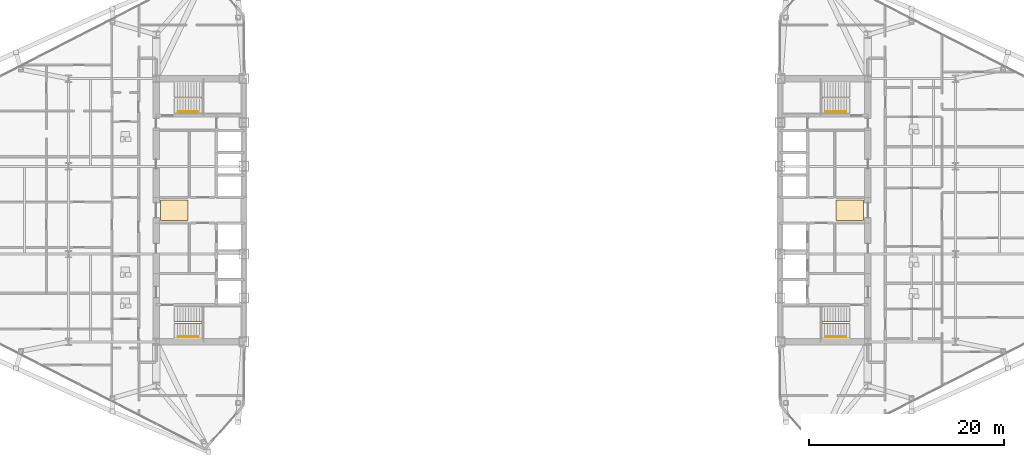
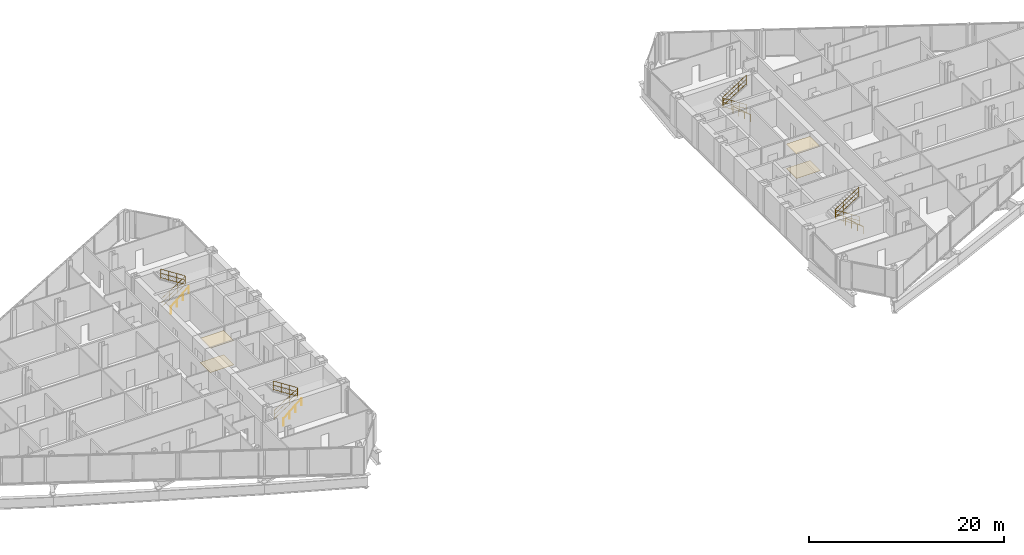
# One storey, part 27 of 28: 8 railings, 4 coverings.
"""IFC4 building model written with IfcOpenShell, lengths in metres."""

from ifc_helpers import new_model, si_unit, direction, frame, origin, origin_2d, place, context, subcontext, project, spatial, polyline, circle, outline, extrude, material, layer, layer_set, type_object, element, save


model = new_model("IFC4")

# Units and contexts
model_context = context("Model", 3, precision=1e-05, world=origin(), true_north=direction((0.0, 1.0)))
body_context = subcontext(model_context, "Body", "Model", "MODEL_VIEW")
ifc_project = project(units=[si_unit("LENGTHUNIT", "METRE"), si_unit("AREAUNIT", "SQUARE_METRE"), si_unit("VOLUMEUNIT", "CUBIC_METRE"), si_unit("PLANEANGLEUNIT", "RADIAN"), si_unit("MASSUNIT", "GRAM", prefix="KILO")], contexts=[model_context])

# Site, building, storey
site_placement = place(None, origin())
site = spatial("IfcSite", under=ifc_project, at=site_placement, CompositionType="ELEMENT")
building_placement = place(site_placement, origin())
building = spatial("IfcBuilding", under=site, at=building_placement, Name="Seokmaru Belvedere", CompositionType="ELEMENT")
storey_placement = place(building_placement, frame((0.0, 0.0, 110.39990234375)))
storey = spatial("IfcBuildingStorey", under=building, at=storey_placement, Name="L29", CompositionType="ELEMENT", Elevation=110.39990234375)

# Coverings
ifc_material_1 = material(Name="Engineered White Oak Timber", Category="wood")
ifc_layer_1 = layer(ifc_material_1, 0.02197265625)
ifc_layer_set_1 = layer_set([ifc_layer_1], Name="Engineered White Oak Timber")
covering_type_1 = type_object("IfcCoveringType", Name="Engineered Oak Residence Floor Finish 22", PredefinedType="FLOORING", material=ifc_layer_set_1)
covering_1_placement = place(storey_placement, origin())
element("IfcCovering", 1, at=covering_1_placement, inside=storey, type_object=covering_type_1, Name="L29 W Foyer Floor Finish", PredefinedType="FLOORING", context=body_context, shape_type="SweptSolid", body=[
    extrude(outline(polyline([(-36.050048828125, -1.050048828125), (-33.25, -1.050048828125), (-33.25, 1.050048828125), (-36.050048828125, 1.050048828125), (-36.050048828125, -1.050048828125)])), origin(), (0.0, 0.0, 1.0), 0.022216796875),
])
covering_2_placement = place(storey_placement, origin())
element("IfcCovering", 2, at=covering_2_placement, inside=storey, type_object=covering_type_1, Name="L29 E Foyer Floor Finish", PredefinedType="FLOORING", context=body_context, shape_type="SweptSolid", body=[
    extrude(outline(polyline([(33.25, -1.050048828125), (36.050048828125, -1.050048828125), (36.050048828125, 1.050048828125), (33.25, 1.050048828125), (33.25, -1.050048828125)])), origin(), (0.0, 0.0, 1.0), 0.022216796875),
])
ifc_material_2 = material(Name="Fire-Rated Gypsum Shaftwall")
ifc_layer_2 = layer(ifc_material_2, 0.02490234375)
ifc_layer_set_2 = layer_set([ifc_layer_2], Name="Fire-Rated Gypsum Shaftwall")
covering_type_2 = type_object("IfcCoveringType", Name="Perforated Acoustic Gypsum Suspended Ceiling 25", PredefinedType="CEILING", material=ifc_layer_set_2)
covering_3_placement = place(storey_placement, frame((0.0, 0.0, 3.030029296875)))
element("IfcCovering", 3, at=covering_3_placement, inside=storey, type_object=covering_type_2, Name="L29 W Lift Foyer Acoustic Ceiling", PredefinedType="CEILING", context=body_context, shape_type="SweptSolid", body=[
    extrude(outline(polyline([(-36.050048828125, -1.050048828125), (-33.25, -1.050048828125), (-33.25, 1.050048828125), (-36.050048828125, 1.050048828125), (-36.050048828125, -1.050048828125)])), origin(), (0.0, 0.0, 1.0), 0.025146484375),
])
covering_4_placement = place(storey_placement, frame((0.0, 0.0, 3.030029296875)))
element("IfcCovering", 4, at=covering_4_placement, inside=storey, type_object=covering_type_2, Name="L29 E Lift Foyer Acoustic Ceiling", PredefinedType="CEILING", context=body_context, shape_type="SweptSolid", body=[
    extrude(outline(polyline([(33.25, -1.050048828125), (36.050048828125, -1.050048828125), (36.050048828125, 1.050048828125), (33.25, 1.050048828125), (33.25, -1.050048828125)])), origin(), (0.0, 0.0, 1.0), 0.025146484375),
])

# Railings
ifc_material_3 = material(Name="Stainless Steel 316", Category="steel")
railing_type_1 = type_object("IfcRailingType", Name="Stainless Steel Wall and Flight Handrail 900", PredefinedType="HANDRAIL", material=ifc_material_3)
for number, where, name in (
    (5, (-34.25, -12.949951171875, 0.0), "L29 Stair ST-W1 Wall Handrail"),
    (6, (-34.25, 10.110107421875, 0.0), "L29 Stair ST-W2 Wall Handrail"),
):
    element("IfcRailing", number, at=place(storey_placement, frame(where)), inside=storey, type_object=railing_type_1, Name=name, PredefinedType="HANDRAIL", context=body_context, shape_type="SweptSolid", body=[
        extrude(circle(Radius=0.02392578125, at=origin_2d()), frame((0.0, 0.0, 0.8759765625), z_axis=(0.759262832861, 0.0, 0.650784104474), x_axis=(0.0, 1.0, 0.0)), (0.0, 0.0, 1.0), 2.765869140625),
        extrude(circle(Radius=0.02099609375, at=origin_2d()), origin(), (0.0, 0.0, 1.0), 0.851806640625),
        extrude(circle(Radius=0.02099609375, at=origin_2d()), frame((0.699951171875, 0.0, 0.60009765625)), (0.0, 0.0, 1.0), 0.851806640625),
        extrude(circle(Radius=0.02099609375, at=origin_2d()), frame((1.400146484375, 0.0, 1.199951171875)), (0.0, 0.0, 1.0), 0.851806640625),
        extrude(circle(Radius=0.02099609375, at=origin_2d()), frame((2.10009765625, 0.0, 1.800048828125)), (0.0, 0.0, 1.0), 0.851806640625),
    ])
for number, where, name in (
    (7, (34.25, -12.949951171875, 0.0), "L29 Stair ST-E1 Wall Handrail"),
    (8, (34.25, 10.110107421875, 0.0), "L29 Stair ST-E2 Wall Handrail"),
):
    element("IfcRailing", number, at=place(storey_placement, frame(where)), inside=storey, type_object=railing_type_1, Name=name, PredefinedType="HANDRAIL", context=body_context, shape_type="SweptSolid", body=[
        extrude(circle(Radius=0.02392578125, at=origin_2d()), frame((0.0, 0.0, 0.8759765625), z_axis=(-0.759262832861, 0.0, 0.650784104474), x_axis=(0.0, -1.0, 0.0)), (0.0, 0.0, 1.0), 2.765869140625),
        extrude(circle(Radius=0.02099609375, at=origin_2d()), origin(), (0.0, 0.0, 1.0), 0.851806640625),
        extrude(circle(Radius=0.02099609375, at=origin_2d()), frame((-0.699951171875, 0.0, 0.60009765625)), (0.0, 0.0, 1.0), 0.851806640625),
        extrude(circle(Radius=0.02099609375, at=origin_2d()), frame((-1.400146484375, 0.0, 1.199951171875)), (0.0, 0.0, 1.0), 0.851806640625),
        extrude(circle(Radius=0.02099609375, at=origin_2d()), frame((-2.10009765625, 0.0, 1.800048828125)), (0.0, 0.0, 1.0), 0.851806640625),
    ])
railing_type_2 = type_object("IfcRailingType", Name="Stair Well and Atrium Steel Guardrail 1200", PredefinedType="GUARDRAIL", material=ifc_material_3)
railing_1_placement = place(storey_placement, frame((-34.60009765625, -11.60009765625, 0.0)))
element("IfcRailing", 9, at=railing_1_placement, inside=storey, type_object=railing_type_2, Name="L29 Stair ST-W1 Inner Well Guardrail", PredefinedType="GUARDRAIL", context=body_context, shape_type="SweptSolid", body=[
    extrude(circle(Radius=0.02392578125, at=origin_2d()), frame((0.0, 0.0, 1.17578125), z_axis=(0.841176092368, 0.0, 0.540761298198), x_axis=(0.0, 1.0, 0.0)), (0.0, 0.0, 1.0), 3.32861328125),
    extrude(circle(Radius=0.02392578125, at=origin_2d()), frame((0.0, 0.0, 0.1201171875), z_axis=(0.841176092368, 0.0, 0.540761298198), x_axis=(0.0, 1.0, 0.0)), (0.0, 0.0, 1.0), 3.32861328125),
    extrude(circle(Radius=0.02392578125, at=origin_2d()), frame((0.0, 0.0, 0.659912109375), z_axis=(0.841176092368, 0.0, 0.540761298198), x_axis=(0.0, 1.0, 0.0)), (0.0, 0.0, 1.0), 3.32861328125),
    extrude(circle(Radius=0.02392578125, at=origin_2d()), frame((2.800048828125, 0.0, 2.97607421875), z_axis=(0.0, 1.0, 0.0), x_axis=(-1.0, 0.0, 0.0)), (0.0, 0.0, 1.0), 0.14013671875),
    extrude(circle(Radius=0.02392578125, at=origin_2d()), frame((2.800048828125, 0.0, 1.920166015625), z_axis=(0.0, 1.0, 0.0), x_axis=(-1.0, 0.0, 0.0)), (0.0, 0.0, 1.0), 0.14013671875),
    extrude(circle(Radius=0.02392578125, at=origin_2d()), frame((2.800048828125, 0.0, 2.4599609375), z_axis=(0.0, 1.0, 0.0), x_axis=(-1.0, 0.0, 0.0)), (0.0, 0.0, 1.0), 0.14013671875),
    extrude(circle(Radius=0.02392578125, at=origin_2d()), frame((2.800048828125, 0.14013671875, 2.97607421875), z_axis=(-0.841176092368, 0.0, 0.540761298198), x_axis=(0.0, -1.0, 0.0)), (0.0, 0.0, 1.0), 3.32861328125),
    extrude(circle(Radius=0.02392578125, at=origin_2d()), frame((2.800048828125, 0.14013671875, 1.920166015625), z_axis=(-0.841176092368, 0.0, 0.540761298198), x_axis=(0.0, -1.0, 0.0)), (0.0, 0.0, 1.0), 3.32861328125),
    extrude(circle(Radius=0.02392578125, at=origin_2d()), frame((2.800048828125, 0.14013671875, 2.4599609375), z_axis=(-0.841176092368, 0.0, 0.540761298198), x_axis=(0.0, -1.0, 0.0)), (0.0, 0.0, 1.0), 3.32861328125),
    extrude(circle(Radius=0.02099609375, at=origin_2d()), origin(), (0.0, 0.0, 1.0), 1.15185546875),
    extrude(circle(Radius=0.02099609375, at=origin_2d()), frame((0.933349609375, 0.0, 0.60009765625)), (0.0, 0.0, 1.0), 1.15185546875),
    extrude(circle(Radius=0.02099609375, at=origin_2d()), frame((1.86669921875, 0.0, 1.199951171875)), (0.0, 0.0, 1.0), 1.15185546875),
    extrude(circle(Radius=0.02099609375, at=origin_2d()), frame((2.800048828125, 0.0, 1.800048828125)), (0.0, 0.0, 1.0), 1.15185546875),
    extrude(circle(Radius=0.02099609375, at=origin_2d()), frame((2.800048828125, 0.14013671875, 1.800048828125)), (0.0, 0.0, 1.0), 1.15185546875),
    extrude(circle(Radius=0.02099609375, at=origin_2d()), frame((1.86669921875, 0.14013671875, 2.400146484375)), (0.0, 0.0, 1.0), 1.15185546875),
    extrude(circle(Radius=0.02099609375, at=origin_2d()), frame((0.933349609375, 0.14013671875, 3.0)), (0.0, 0.0, 1.0), 1.15185546875),
    extrude(circle(Radius=0.02099609375, at=origin_2d()), frame((0.0, 0.14013671875, 3.60009765625)), (0.0, 0.0, 1.0), 1.15185546875),
])
railing_2_placement = place(storey_placement, frame((-34.60009765625, 11.4599609375, 0.0)))
element("IfcRailing", 10, at=railing_2_placement, inside=storey, type_object=railing_type_2, Name="L29 Stair ST-W2 Inner Well Guardrail", PredefinedType="GUARDRAIL", context=body_context, shape_type="SweptSolid", body=[
    extrude(circle(Radius=0.02392578125, at=origin_2d()), frame((0.0, 0.0, 1.17578125), z_axis=(0.841176092368, 0.0, 0.540761298198), x_axis=(0.0, 1.0, 0.0)), (0.0, 0.0, 1.0), 3.32861328125),
    extrude(circle(Radius=0.02392578125, at=origin_2d()), frame((0.0, 0.0, 0.1201171875), z_axis=(0.841176092368, 0.0, 0.540761298198), x_axis=(0.0, 1.0, 0.0)), (0.0, 0.0, 1.0), 3.32861328125),
    extrude(circle(Radius=0.02392578125, at=origin_2d()), frame((0.0, 0.0, 0.659912109375), z_axis=(0.841176092368, 0.0, 0.540761298198), x_axis=(0.0, 1.0, 0.0)), (0.0, 0.0, 1.0), 3.32861328125),
    extrude(circle(Radius=0.02392578125, at=origin_2d()), frame((2.800048828125, 0.0, 2.97607421875), z_axis=(0.0, 1.0, 0.0), x_axis=(-1.0, 0.0, 0.0)), (0.0, 0.0, 1.0), 0.14013671875),
    extrude(circle(Radius=0.02392578125, at=origin_2d()), frame((2.800048828125, 0.0, 1.920166015625), z_axis=(0.0, 1.0, 0.0), x_axis=(-1.0, 0.0, 0.0)), (0.0, 0.0, 1.0), 0.14013671875),
    extrude(circle(Radius=0.02392578125, at=origin_2d()), frame((2.800048828125, 0.0, 2.4599609375), z_axis=(0.0, 1.0, 0.0), x_axis=(-1.0, 0.0, 0.0)), (0.0, 0.0, 1.0), 0.14013671875),
    extrude(circle(Radius=0.02392578125, at=origin_2d()), frame((2.800048828125, 0.14013671875, 2.97607421875), z_axis=(-0.841176092368, 0.0, 0.540761298198), x_axis=(0.0, -1.0, 0.0)), (0.0, 0.0, 1.0), 3.32861328125),
    extrude(circle(Radius=0.02392578125, at=origin_2d()), frame((2.800048828125, 0.14013671875, 1.920166015625), z_axis=(-0.841176092368, 0.0, 0.540761298198), x_axis=(0.0, -1.0, 0.0)), (0.0, 0.0, 1.0), 3.32861328125),
    extrude(circle(Radius=0.02392578125, at=origin_2d()), frame((2.800048828125, 0.14013671875, 2.4599609375), z_axis=(-0.841176092368, 0.0, 0.540761298198), x_axis=(0.0, -1.0, 0.0)), (0.0, 0.0, 1.0), 3.32861328125),
    extrude(circle(Radius=0.02099609375, at=origin_2d()), origin(), (0.0, 0.0, 1.0), 1.15185546875),
    extrude(circle(Radius=0.02099609375, at=origin_2d()), frame((0.933349609375, 0.0, 0.60009765625)), (0.0, 0.0, 1.0), 1.15185546875),
    extrude(circle(Radius=0.02099609375, at=origin_2d()), frame((1.86669921875, 0.0, 1.199951171875)), (0.0, 0.0, 1.0), 1.15185546875),
    extrude(circle(Radius=0.02099609375, at=origin_2d()), frame((2.800048828125, 0.0, 1.800048828125)), (0.0, 0.0, 1.0), 1.15185546875),
    extrude(circle(Radius=0.02099609375, at=origin_2d()), frame((2.800048828125, 0.14013671875, 1.800048828125)), (0.0, 0.0, 1.0), 1.15185546875),
    extrude(circle(Radius=0.02099609375, at=origin_2d()), frame((1.86669921875, 0.14013671875, 2.400146484375)), (0.0, 0.0, 1.0), 1.15185546875),
    extrude(circle(Radius=0.02099609375, at=origin_2d()), frame((0.933349609375, 0.14013671875, 3.0)), (0.0, 0.0, 1.0), 1.15185546875),
    extrude(circle(Radius=0.02099609375, at=origin_2d()), frame((0.0, 0.14013671875, 3.60009765625)), (0.0, 0.0, 1.0), 1.15185546875),
])
railing_3_placement = place(storey_placement, frame((34.60009765625, -11.60009765625, 0.0)))
element("IfcRailing", 11, at=railing_3_placement, inside=storey, type_object=railing_type_2, Name="L29 Stair ST-E1 Inner Well Guardrail", PredefinedType="GUARDRAIL", context=body_context, shape_type="SweptSolid", body=[
    extrude(circle(Radius=0.02392578125, at=origin_2d()), frame((0.0, 0.0, 1.17578125), z_axis=(-0.841176092368, 0.0, 0.540761298198), x_axis=(0.0, -1.0, 0.0)), (0.0, 0.0, 1.0), 3.32861328125),
    extrude(circle(Radius=0.02392578125, at=origin_2d()), frame((0.0, 0.0, 0.1201171875), z_axis=(-0.841176092368, 0.0, 0.540761298198), x_axis=(0.0, -1.0, 0.0)), (0.0, 0.0, 1.0), 3.32861328125),
    extrude(circle(Radius=0.02392578125, at=origin_2d()), frame((0.0, 0.0, 0.659912109375), z_axis=(-0.841176092368, 0.0, 0.540761298198), x_axis=(0.0, -1.0, 0.0)), (0.0, 0.0, 1.0), 3.32861328125),
    extrude(circle(Radius=0.02392578125, at=origin_2d()), frame((-2.800048828125, 0.0, 2.97607421875), z_axis=(0.0, 1.0, 0.0), x_axis=(-1.0, 0.0, 0.0)), (0.0, 0.0, 1.0), 0.14013671875),
    extrude(circle(Radius=0.02392578125, at=origin_2d()), frame((-2.800048828125, 0.0, 1.920166015625), z_axis=(0.0, 1.0, 0.0), x_axis=(-1.0, 0.0, 0.0)), (0.0, 0.0, 1.0), 0.14013671875),
    extrude(circle(Radius=0.02392578125, at=origin_2d()), frame((-2.800048828125, 0.0, 2.4599609375), z_axis=(0.0, 1.0, 0.0), x_axis=(-1.0, 0.0, 0.0)), (0.0, 0.0, 1.0), 0.14013671875),
    extrude(circle(Radius=0.02392578125, at=origin_2d()), frame((-2.800048828125, 0.14013671875, 2.97607421875), z_axis=(0.841176092368, 0.0, 0.540761298198), x_axis=(0.0, 1.0, 0.0)), (0.0, 0.0, 1.0), 3.32861328125),
    extrude(circle(Radius=0.02392578125, at=origin_2d()), frame((-2.800048828125, 0.14013671875, 1.920166015625), z_axis=(0.841176092368, 0.0, 0.540761298198), x_axis=(0.0, 1.0, 0.0)), (0.0, 0.0, 1.0), 3.32861328125),
    extrude(circle(Radius=0.02392578125, at=origin_2d()), frame((-2.800048828125, 0.14013671875, 2.4599609375), z_axis=(0.841176092368, 0.0, 0.540761298198), x_axis=(0.0, 1.0, 0.0)), (0.0, 0.0, 1.0), 3.32861328125),
    extrude(circle(Radius=0.02099609375, at=origin_2d()), origin(), (0.0, 0.0, 1.0), 1.15185546875),
    extrude(circle(Radius=0.02099609375, at=origin_2d()), frame((-0.933349609375, 0.0, 0.60009765625)), (0.0, 0.0, 1.0), 1.15185546875),
    extrude(circle(Radius=0.02099609375, at=origin_2d()), frame((-1.86669921875, 0.0, 1.199951171875)), (0.0, 0.0, 1.0), 1.15185546875),
    extrude(circle(Radius=0.02099609375, at=origin_2d()), frame((-2.800048828125, 0.0, 1.800048828125)), (0.0, 0.0, 1.0), 1.15185546875),
    extrude(circle(Radius=0.02099609375, at=origin_2d()), frame((-2.800048828125, 0.14013671875, 1.800048828125)), (0.0, 0.0, 1.0), 1.15185546875),
    extrude(circle(Radius=0.02099609375, at=origin_2d()), frame((-1.86669921875, 0.14013671875, 2.400146484375)), (0.0, 0.0, 1.0), 1.15185546875),
    extrude(circle(Radius=0.02099609375, at=origin_2d()), frame((-0.933349609375, 0.14013671875, 3.0)), (0.0, 0.0, 1.0), 1.15185546875),
    extrude(circle(Radius=0.02099609375, at=origin_2d()), frame((0.0, 0.14013671875, 3.60009765625)), (0.0, 0.0, 1.0), 1.15185546875),
])
railing_4_placement = place(storey_placement, frame((34.60009765625, 11.4599609375, 0.0)))
element("IfcRailing", 12, at=railing_4_placement, inside=storey, type_object=railing_type_2, Name="L29 Stair ST-E2 Inner Well Guardrail", PredefinedType="GUARDRAIL", context=body_context, shape_type="SweptSolid", body=[
    extrude(circle(Radius=0.02392578125, at=origin_2d()), frame((0.0, 0.0, 1.17578125), z_axis=(-0.841176092368, 0.0, 0.540761298198), x_axis=(0.0, -1.0, 0.0)), (0.0, 0.0, 1.0), 3.32861328125),
    extrude(circle(Radius=0.02392578125, at=origin_2d()), frame((0.0, 0.0, 0.1201171875), z_axis=(-0.841176092368, 0.0, 0.540761298198), x_axis=(0.0, -1.0, 0.0)), (0.0, 0.0, 1.0), 3.32861328125),
    extrude(circle(Radius=0.02392578125, at=origin_2d()), frame((0.0, 0.0, 0.659912109375), z_axis=(-0.841176092368, 0.0, 0.540761298198), x_axis=(0.0, -1.0, 0.0)), (0.0, 0.0, 1.0), 3.32861328125),
    extrude(circle(Radius=0.02392578125, at=origin_2d()), frame((-2.800048828125, 0.0, 2.97607421875), z_axis=(0.0, 1.0, 0.0), x_axis=(-1.0, 0.0, 0.0)), (0.0, 0.0, 1.0), 0.14013671875),
    extrude(circle(Radius=0.02392578125, at=origin_2d()), frame((-2.800048828125, 0.0, 1.920166015625), z_axis=(0.0, 1.0, 0.0), x_axis=(-1.0, 0.0, 0.0)), (0.0, 0.0, 1.0), 0.14013671875),
    extrude(circle(Radius=0.02392578125, at=origin_2d()), frame((-2.800048828125, 0.0, 2.4599609375), z_axis=(0.0, 1.0, 0.0), x_axis=(-1.0, 0.0, 0.0)), (0.0, 0.0, 1.0), 0.14013671875),
    extrude(circle(Radius=0.02392578125, at=origin_2d()), frame((-2.800048828125, 0.14013671875, 2.97607421875), z_axis=(0.841176092368, 0.0, 0.540761298198), x_axis=(0.0, 1.0, 0.0)), (0.0, 0.0, 1.0), 3.32861328125),
    extrude(circle(Radius=0.02392578125, at=origin_2d()), frame((-2.800048828125, 0.14013671875, 1.920166015625), z_axis=(0.841176092368, 0.0, 0.540761298198), x_axis=(0.0, 1.0, 0.0)), (0.0, 0.0, 1.0), 3.32861328125),
    extrude(circle(Radius=0.02392578125, at=origin_2d()), frame((-2.800048828125, 0.14013671875, 2.4599609375), z_axis=(0.841176092368, 0.0, 0.540761298198), x_axis=(0.0, 1.0, 0.0)), (0.0, 0.0, 1.0), 3.32861328125),
    extrude(circle(Radius=0.02099609375, at=origin_2d()), origin(), (0.0, 0.0, 1.0), 1.15185546875),
    extrude(circle(Radius=0.02099609375, at=origin_2d()), frame((-0.933349609375, 0.0, 0.60009765625)), (0.0, 0.0, 1.0), 1.15185546875),
    extrude(circle(Radius=0.02099609375, at=origin_2d()), frame((-1.86669921875, 0.0, 1.199951171875)), (0.0, 0.0, 1.0), 1.15185546875),
    extrude(circle(Radius=0.02099609375, at=origin_2d()), frame((-2.800048828125, 0.0, 1.800048828125)), (0.0, 0.0, 1.0), 1.15185546875),
    extrude(circle(Radius=0.02099609375, at=origin_2d()), frame((-2.800048828125, 0.14013671875, 1.800048828125)), (0.0, 0.0, 1.0), 1.15185546875),
    extrude(circle(Radius=0.02099609375, at=origin_2d()), frame((-1.86669921875, 0.14013671875, 2.400146484375)), (0.0, 0.0, 1.0), 1.15185546875),
    extrude(circle(Radius=0.02099609375, at=origin_2d()), frame((-0.933349609375, 0.14013671875, 3.0)), (0.0, 0.0, 1.0), 1.15185546875),
    extrude(circle(Radius=0.02099609375, at=origin_2d()), frame((0.0, 0.14013671875, 3.60009765625)), (0.0, 0.0, 1.0), 1.15185546875),
])

save(model, "model.ifc")
